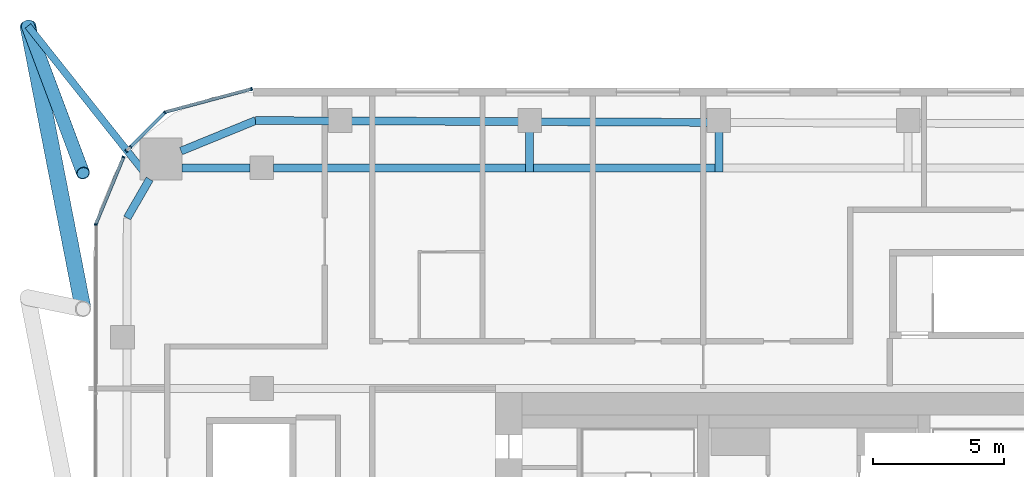
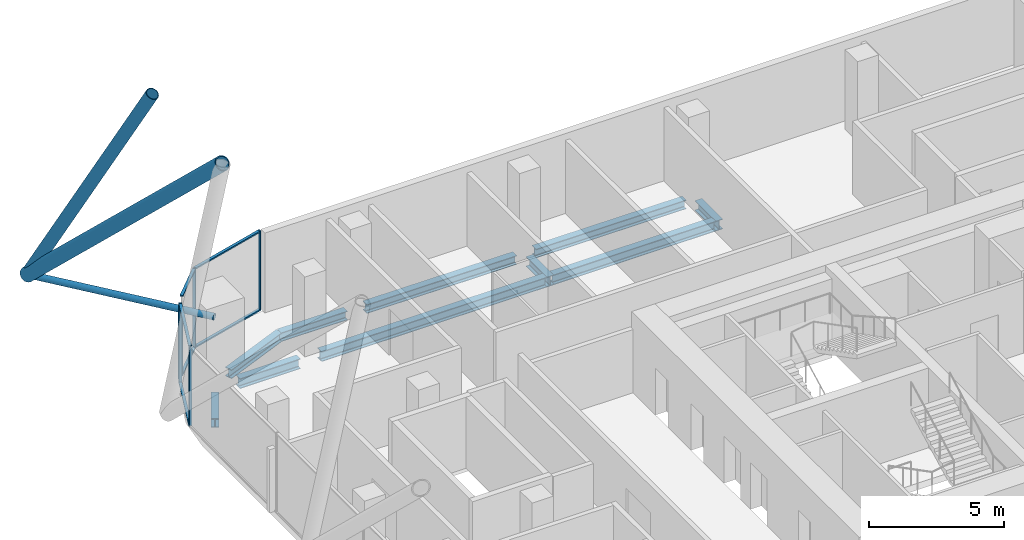
# One storey, part 12 of 34: 15 members, 10 beams, 5 elements without a shape of their own.
"""IFC4 building model written with IfcOpenShell, lengths in metres."""

from ifc_helpers import new_model, si_unit, direction, frame, origin, origin_2d, place, context, subcontext, project, spatial, rectangle, hollow_circle, i_section, extrude, material, layer, layer_set, material_profile, profile_set, type_object, element, aggregate, save


model = new_model("IFC4")

# Units and contexts
model_context = context("Model", 3, precision=1e-05, world=origin(), true_north=direction((0.0, 1.0)))
body_context = subcontext(model_context, "Body", "Model", "MODEL_VIEW")
ifc_project = project(units=[si_unit("LENGTHUNIT", "METRE"), si_unit("AREAUNIT", "SQUARE_METRE"), si_unit("VOLUMEUNIT", "CUBIC_METRE"), si_unit("PLANEANGLEUNIT", "RADIAN"), si_unit("MASSUNIT", "GRAM", prefix="KILO")], contexts=[model_context])

# Site, building, storey
site_placement = place(None, origin())
site = spatial("IfcSite", under=ifc_project, at=site_placement, CompositionType="ELEMENT")
building_placement = place(site_placement, origin())
building = spatial("IfcBuilding", under=site, at=building_placement, Name="Marenta Gate Hotel Tower", CompositionType="ELEMENT")
storey_placement = place(building_placement, frame((0.0, 0.0, 166.10009765625)))
storey = spatial("IfcBuildingStorey", under=building, at=storey_placement, Name="L39", CompositionType="ELEMENT", Elevation=166.10009765625)

# Members
ifc_material_1 = material(Name="Steel S355J2W", Category="steel")
ifc_material_profile_1 = material_profile(ifc_material_1, hollow_circle(Radius=0.25390625, WallThickness=0.02490234375, at=origin_2d()), Name="CHS 508x25")
ifc_profile_set_1 = profile_set([ifc_material_profile_1], Name="Steel S355J2W")
member_type_1 = type_object("IfcMemberType", Name="Diagrid corner post Z2 CHS 508x25", PredefinedType="POST", material=ifc_profile_set_1)
member_1_placement = place(storey_placement, frame((-29.89990234375, 30.60009765625, 3.139892578125), z_axis=(0.170090510133, -0.453614245022, 0.874816172162), x_axis=(0.936339242498, 0.351096600607, 0.0)))
element("IfcMember", 1, at=member_1_placement, inside=storey, type_object=member_type_1, Name="L39-DR-6", PredefinedType="POST", context=body_context, shape_type="SweptSolid", body=[
    extrude(hollow_circle(Radius=0.25390625, WallThickness=0.02490234375, at=origin_2d()), origin(), (0.0, 0.0, 1.0), 12.345458984375),
])
ifc_material_2 = material(Name="Steel S355J2W", Category="steel")
ifc_material_profile_2 = material_profile(ifc_material_2, hollow_circle(Radius=0.304931640625, WallThickness=0.0400390625, at=origin_2d()), Name="CHS 610x40")
ifc_profile_set_2 = profile_set([ifc_material_profile_2], Name="Steel S355J2W")
member_type_2 = type_object("IfcMemberType", Name="Diagrid diagonal T2 CHS 610x40", PredefinedType="BRACE", material=ifc_profile_set_2)
member_2_placement = place(storey_placement, frame((-29.89990234375, 30.60009765625, 3.139892578125), z_axis=(0.136387552473, -0.699523368187, 0.701473800573), x_axis=(0.981518224839, 0.191368686853, 0.0)))
element("IfcMember", 2, at=member_2_placement, inside=storey, type_object=member_type_2, Name="L39-DG-34", PredefinedType="BRACE", context=body_context, shape_type="SweptSolid", body=[
    extrude(hollow_circle(Radius=0.304931640625, WallThickness=0.0400390625, at=origin_2d()), origin(), (0.0, 0.0, 1.0), 15.396240234375),
])

# Beams
ifc_material_3 = material(Name="Steel S355", Category="steel")
ifc_material_profile_3 = material_profile(ifc_material_3, i_section(OverallWidth=0.300048828125, OverallDepth=0.39990234375, WebThickness=0.013427734375, FlangeThickness=0.02392578125, FilletRadius=0.027099609375, at=origin_2d()), Name="HEB 400")
ifc_profile_set_3 = profile_set([ifc_material_profile_3], Name="Steel S355")
beam_type_1 = type_object("IfcBeamType", Name="Edge beam HEB 400", PredefinedType="SPANDREL", material=ifc_profile_set_3)
beam_1_placement = place(storey_placement, frame((-26.121337890625, 23.291748046875, -0.460205078125), z_axis=(0.500015459501, 0.866016478054, 0.0), x_axis=(-0.866016478054, 0.500015459501, 0.0)))
element("IfcBeam", 3, at=beam_1_placement, inside=storey, type_object=beam_type_1, Name="L39-EB-11", PredefinedType="SPANDREL", context=body_context, shape_type="SweptSolid", body=[
    extrude(i_section(OverallWidth=0.300048828125, OverallDepth=0.39990234375, WebThickness=0.013427734375, FlangeThickness=0.02392578125, FilletRadius=0.027099609375, at=origin_2d()), origin(), (0.0, 0.0, 1.0), 1.70703125),
])
beam_2_placement = place(storey_placement, frame((-24.072509765625, 25.839111328125, -0.460205078125), z_axis=(0.925565978946, 0.378586342356, 0.0), x_axis=(-0.378586342356, 0.925565978946, 0.0)))
element("IfcBeam", 4, at=beam_2_placement, inside=storey, type_object=beam_type_1, Name="L39-EB-12", PredefinedType="SPANDREL", context=body_context, shape_type="SweptSolid", body=[
    extrude(i_section(OverallWidth=0.300048828125, OverallDepth=0.39990234375, WebThickness=0.013427734375, FlangeThickness=0.02392578125, FilletRadius=0.027099609375, at=origin_2d()), origin(), (0.0, 0.0, 1.0), 3.06640625),
])
beam_3_placement = place(storey_placement, frame((-21.234375, 27.0, -0.460205078125), z_axis=(0.999991706293, -0.004072756516, 0.0), x_axis=(0.004072756516, 0.999991706293, 0.0)))
element("IfcBeam", 5, at=beam_3_placement, inside=storey, type_object=beam_type_1, Name="L39-EB-13", PredefinedType="SPANDREL", context=body_context, shape_type="SweptSolid", body=[
    extrude(i_section(OverallWidth=0.300048828125, OverallDepth=0.39990234375, WebThickness=0.013427734375, FlangeThickness=0.02392578125, FilletRadius=0.027099609375, at=origin_2d()), origin(), (0.0, 0.0, 1.0), 2.8173828125),
])
beam_4_placement = place(storey_placement, frame((-17.596923828125, 26.985107421875, -0.460205078125), z_axis=(0.999991780748, -0.00405443424, 0.0), x_axis=(0.00405443424, 0.999991780748, 0.0)))
element("IfcBeam", 6, at=beam_4_placement, inside=storey, type_object=beam_type_1, Name="L39-EB-14", PredefinedType="SPANDREL", context=body_context, shape_type="SweptSolid", body=[
    extrude(i_section(OverallWidth=0.300048828125, OverallDepth=0.39990234375, WebThickness=0.013427734375, FlangeThickness=0.02392578125, FilletRadius=0.027099609375, at=origin_2d()), origin(), (0.0, 0.0, 1.0), 6.3828125),
])
beam_5_placement = place(storey_placement, frame((-10.39404296875, 26.955810546875, -0.460205078125), z_axis=(0.999991624297, -0.004092839529, 0.0), x_axis=(0.004092839529, 0.999991624297, 0.0)))
element("IfcBeam", 7, at=beam_5_placement, inside=storey, type_object=beam_type_1, Name="L39-EB-15", PredefinedType="SPANDREL", context=body_context, shape_type="SweptSolid", body=[
    extrude(i_section(OverallWidth=0.300048828125, OverallDepth=0.39990234375, WebThickness=0.013427734375, FlangeThickness=0.02392578125, FilletRadius=0.027099609375, at=origin_2d()), origin(), (0.0, 0.0, 1.0), 6.382568359375),
])

# Member
ifc_material_4 = material(Name="Steel S355J2W", Category="steel")
ifc_material_profile_4 = material_profile(ifc_material_4, hollow_circle(Radius=0.136474609375, WallThickness=0.012451171875, at=origin_2d()), Name="CHS 273x12.5")
ifc_profile_set_4 = profile_set([ifc_material_profile_4], Name="Steel S355J2W")
member_type_3 = type_object("IfcMemberType", Name="Floor tie CHS 273x12.5", PredefinedType="STRUT", material=ifc_profile_set_4)
member_3_placement = place(storey_placement, frame((-29.89990234375, 30.60009765625, 3.139892578125), z_axis=(0.622078892036, -0.782954565785, 0.0), x_axis=(0.782954565785, 0.622078892036, 0.0)))
element("IfcMember", 8, at=member_3_placement, inside=storey, type_object=member_type_3, Name="L39-DR-12", PredefinedType="STRUT", context=body_context, shape_type="SweptSolid", body=[
    extrude(hollow_circle(Radius=0.136474609375, WallThickness=0.012451171875, at=origin_2d()), origin(), (0.0, 0.0, 1.0), 7.429931640625),
])

# Beams
ifc_material_5 = material(Name="Steel S355", Category="steel")
ifc_material_profile_5 = material_profile(ifc_material_5, i_section(OverallWidth=0.300048828125, OverallDepth=0.449951171875, WebThickness=0.013916015625, FlangeThickness=0.02587890625, FilletRadius=0.027099609375, at=origin_2d()), Name="HEB 450")
ifc_profile_set_5 = profile_set([ifc_material_profile_5], Name="Steel S355")
beam_type_2 = type_object("IfcBeamType", Name="Girder HEB 450", PredefinedType="BEAM", material=ifc_profile_set_5)
beam_6_placement = place(storey_placement, frame((-24.035400390625, 25.199951171875, -0.485107421875), z_axis=(1.0, 0.0, 0.0), x_axis=(0.0, 1.0, 0.0)))
element("IfcBeam", 9, at=beam_6_placement, inside=storey, type_object=beam_type_2, Name="L39-GD-29", PredefinedType="BEAM", context=body_context, shape_type="SweptSolid", body=[
    extrude(i_section(OverallWidth=0.300048828125, OverallDepth=0.449951171875, WebThickness=0.013916015625, FlangeThickness=0.02587890625, FilletRadius=0.027099609375, at=origin_2d()), origin(), (0.0, 0.0, 1.0), 2.58544921875),
])
beam_7_placement = place(storey_placement, frame((-20.550048828125, 25.199951171875, -0.485107421875), z_axis=(1.0, 0.0, 0.0), x_axis=(0.0, 1.0, 0.0)))
element("IfcBeam", 10, at=beam_7_placement, inside=storey, type_object=beam_type_2, Name="L39-GD-30", PredefinedType="BEAM", context=body_context, shape_type="SweptSolid", body=[
    extrude(i_section(OverallWidth=0.300048828125, OverallDepth=0.449951171875, WebThickness=0.013916015625, FlangeThickness=0.02587890625, FilletRadius=0.027099609375, at=origin_2d()), origin(), (0.0, 0.0, 1.0), 9.595947265625),
])
beam_8_placement = place(storey_placement, frame((-10.654052734375, 25.199951171875, -0.485107421875), z_axis=(1.0, 0.0, 0.0), x_axis=(0.0, 1.0, 0.0)))
element("IfcBeam", 11, at=beam_8_placement, inside=storey, type_object=beam_type_2, Name="L39-GD-31", PredefinedType="BEAM", context=body_context, shape_type="SweptSolid", body=[
    extrude(i_section(OverallWidth=0.300048828125, OverallDepth=0.449951171875, WebThickness=0.013916015625, FlangeThickness=0.02587890625, FilletRadius=0.027099609375, at=origin_2d()), origin(), (0.0, 0.0, 1.0), 6.902587890625),
])
ifc_material_6 = material(Name="Steel S355", Category="steel")
ifc_material_profile_6 = material_profile(ifc_material_6, i_section(OverallWidth=0.300048828125, OverallDepth=0.449951171875, WebThickness=0.013916015625, FlangeThickness=0.02587890625, FilletRadius=0.027099609375, at=origin_2d()), Name="HEB 450")
ifc_profile_set_6 = profile_set([ifc_material_profile_6], Name="Steel S355")
beam_type_3 = type_object("IfcBeamType", Name="Girder bracket HEB 450", PredefinedType="BEAM", material=ifc_profile_set_6)
for number, where, z_axis, x_axis, name in (
    (12, (-10.80419921875, 25.050048828125, -0.485107421875), (0.0, 1.0, 0.0), (-1.0, 0.0, 0.0), "L39-GS-1"),
    (13, (-3.601318359375, 25.050048828125, -0.485107421875), (0.0, 1.0, 0.0), (-1.0, 0.0, 0.0), "L39-GS-2"),
):
    element("IfcBeam", number, at=place(storey_placement, frame(where, z_axis=z_axis, x_axis=x_axis)), inside=storey, type_object=beam_type_3, Name=name, PredefinedType="BEAM", context=body_context, shape_type="SweptSolid", body=[
        extrude(i_section(OverallWidth=0.300048828125, OverallDepth=0.449951171875, WebThickness=0.013916015625, FlangeThickness=0.02587890625, FilletRadius=0.027099609375, at=origin_2d()), origin(), (0.0, 0.0, 1.0), 1.5400390625),
    ])

# Curtain wall, member
ifc_material_7 = material(Name="Tinted insulated glass in bronze anodised frame", Category="glass")
ifc_layer = layer(ifc_material_7, 0.1201171875)
ifc_layer_set = layer_set([ifc_layer], Name="Tinted insulated glass in bronze anodised frame")
curtain_wall_type = type_object("IfcCurtainWallType", Name="Tower unitised curtain wall CW1", PredefinedType="NOTDEFINED", material=ifc_layer_set)
curtain_wall_1_placement = place(storey_placement, origin())
curtain_wall_1 = element("IfcCurtainWall", 14, at=curtain_wall_1_placement, inside=storey, type_object=curtain_wall_type, Name="CW1 run G00", PredefinedType="NOTDEFINED")
ifc_material_8 = material(Name="Bronze anodised aluminium", Category="aluminium")
ifc_material_profile_7 = material_profile(ifc_material_8, rectangle(XDim=0.1201171875, YDim=0.06005859375, at=origin_2d()), Name="Mullion CW1 60x120 bronze anodised aluminium")
ifc_profile_set_7 = profile_set([ifc_material_profile_7], Name="Bronze anodised aluminium")
member_type_4 = type_object("IfcMemberType", Name="Mullion CW1 60x120 bronze anodised aluminium", PredefinedType="MULLION", material=ifc_profile_set_7)
member_4_placement = place(storey_placement, frame((-21.385498046875, 28.203125, 0.0), z_axis=(0.0, 0.0, 1.0), x_axis=(0.258801234873, -0.96593059835, 0.0)))
member_4 = element("IfcMember", 15, at=member_4_placement, type_object=member_type_4, Name="CW1 mullion 1", PredefinedType="MULLION", context=body_context, shape_type="SweptSolid", body=[
    extrude(rectangle(XDim=0.1201171875, YDim=0.06005859375, at=origin_2d()), origin(), (0.0, 0.0, 1.0), 3.599853515625),
])

curtain_wall_2_placement = place(storey_placement, origin())
curtain_wall_2 = element("IfcCurtainWall", 16, at=curtain_wall_2_placement, inside=storey, type_object=curtain_wall_type, Name="CW1 run G01", PredefinedType="NOTDEFINED")
member_5_placement = place(storey_placement, frame((-24.68798828125, 27.302978515625, 0.0), z_axis=(0.0, 0.0, 1.0), x_axis=(0.707106781187, -0.707106781187, 0.0)))
member_5 = element("IfcMember", 17, at=member_5_placement, type_object=member_type_4, Name="CW1 mullion 1", PredefinedType="MULLION", context=body_context, shape_type="SweptSolid", body=[
    extrude(rectangle(XDim=0.1201171875, YDim=0.06005859375, at=origin_2d()), origin(), (0.0, 0.0, 1.0), 3.599853515625),
])

# Curtain wall, members
curtain_wall_3_placement = place(storey_placement, origin())
curtain_wall_3 = element("IfcCurtainWall", 18, at=curtain_wall_3_placement, inside=storey, type_object=curtain_wall_type, Name="CW1 run G02", PredefinedType="NOTDEFINED")
member_6_placement = place(storey_placement, frame((-25.992431640625, 25.998291015625, 0.0), z_axis=(0.0, 0.0, 1.0), x_axis=(0.707106781187, -0.707106781187, 0.0)))
member_6 = element("IfcMember", 19, at=member_6_placement, type_object=member_type_4, Name="CW1 mullion 1", PredefinedType="MULLION", context=body_context, shape_type="SweptSolid", body=[
    extrude(rectangle(XDim=0.1201171875, YDim=0.06005859375, at=origin_2d()), origin(), (0.0, 0.0, 1.0), 3.00048828125),
])
member_7_placement = place(storey_placement, frame((-26.151123046875, 25.839599609375, 0.0), z_axis=(0.0, 0.0, 1.0), x_axis=(0.707106781187, -0.707106781187, 0.0)))
member_7 = element("IfcMember", 20, at=member_7_placement, type_object=member_type_4, Name="CW1 mullion 2", PredefinedType="MULLION", context=body_context, shape_type="SweptSolid", body=[
    extrude(rectangle(XDim=0.1201171875, YDim=0.06005859375, at=origin_2d()), origin(), (0.0, 0.0, 1.0), 3.00048828125),
])
aggregate(curtain_wall_3, [member_6, member_7])

# Curtain wall, member
curtain_wall_4_placement = place(storey_placement, origin())
curtain_wall_4 = element("IfcCurtainWall", 21, at=curtain_wall_4_placement, inside=storey, type_object=curtain_wall_type, Name="CW1 run G03", PredefinedType="NOTDEFINED")
member_8_placement = place(storey_placement, frame((-26.25830078125, 25.610595703125, 0.0), z_axis=(0.0, 0.0, 1.0), x_axis=(0.923884627904, -0.382671130767, 0.0)))
member_8 = element("IfcMember", 22, at=member_8_placement, type_object=member_type_4, Name="CW1 mullion 1", PredefinedType="MULLION", context=body_context, shape_type="SweptSolid", body=[
    extrude(rectangle(XDim=0.1201171875, YDim=0.06005859375, at=origin_2d()), origin(), (0.0, 0.0, 1.0), 3.599853515625),
])

curtain_wall_5_placement = place(storey_placement, origin())
curtain_wall_5 = element("IfcCurtainWall", 23, at=curtain_wall_5_placement, inside=storey, type_object=curtain_wall_type, Name="CW1 run G04", PredefinedType="NOTDEFINED")
member_9_placement = place(storey_placement, frame((-27.312255859375, 23.0361328125, 0.0), z_axis=(0.0, 0.0, 1.0), x_axis=(0.99999877375, -0.001566045546, 0.0)))
member_9 = element("IfcMember", 24, at=member_9_placement, type_object=member_type_4, Name="CW1 mullion 1", PredefinedType="MULLION", context=body_context, shape_type="SweptSolid", body=[
    extrude(rectangle(XDim=0.1201171875, YDim=0.06005859375, at=origin_2d()), origin(), (0.0, 0.0, 1.0), 3.599853515625),
])
aggregate(curtain_wall_5, [member_9])

# Member
ifc_material_9 = material(Name="Bronze anodised aluminium", Category="aluminium")
ifc_material_profile_8 = material_profile(ifc_material_9, rectangle(XDim=0.1201171875, YDim=0.06005859375, at=origin_2d()), Name="Transom CW1 60x120 bronze anodised aluminium")
ifc_profile_set_8 = profile_set([ifc_material_profile_8], Name="Bronze anodised aluminium")
member_type_5 = type_object("IfcMemberType", Name="Transom CW1 60x120 bronze anodised aluminium", PredefinedType="USERDEFINED", material=ifc_profile_set_8)
member_10_placement = place(storey_placement, frame((-21.41455078125, 28.195556640625, 0.02978515625), z_axis=(-0.965932192411, -0.258795285243, 0.0), x_axis=(0.258795285243, -0.965932192411, 0.0)))
member_10 = element("IfcMember", 25, at=member_10_placement, type_object=member_type_5, Name="CW1 transom 1.1", ObjectType="TRANSOM", PredefinedType="USERDEFINED", context=body_context, shape_type="SweptSolid", body=[
    extrude(rectangle(XDim=0.1201171875, YDim=0.06005859375, at=origin_2d()), origin(), (0.0, 0.0, 1.0), 3.366943359375),
])

member_11_placement = place(storey_placement, frame((-21.41455078125, 28.195556640625, 3.56982421875), z_axis=(-0.965932192411, -0.258795285243, 0.0), x_axis=(0.258795285243, -0.965932192411, 0.0)))
member_11 = element("IfcMember", 26, at=member_11_placement, type_object=member_type_5, Name="CW1 transom 1.2", ObjectType="TRANSOM", PredefinedType="USERDEFINED", context=body_context, shape_type="SweptSolid", body=[
    extrude(rectangle(XDim=0.1201171875, YDim=0.06005859375, at=origin_2d()), origin(), (0.0, 0.0, 1.0), 3.366943359375),
])

aggregate(curtain_wall_1, [member_4, member_10, member_11])

member_12_placement = place(storey_placement, frame((-24.709228515625, 27.28173828125, 0.02978515625), z_axis=(-0.707038385696, -0.707175170062, 0.0), x_axis=(0.707175170062, -0.707038385696, 0.0)))
member_12 = element("IfcMember", 27, at=member_12_placement, type_object=member_type_5, Name="CW1 transom 1.1", ObjectType="TRANSOM", PredefinedType="USERDEFINED", context=body_context, shape_type="SweptSolid", body=[
    extrude(rectangle(XDim=0.1201171875, YDim=0.06005859375, at=origin_2d()), origin(), (0.0, 0.0, 1.0), 1.784912109375),
])

member_13_placement = place(storey_placement, frame((-24.709228515625, 27.28173828125, 3.56982421875), z_axis=(-0.707038385696, -0.707175170062, 0.0), x_axis=(0.707175170062, -0.707038385696, 0.0)))
member_13 = element("IfcMember", 28, at=member_13_placement, type_object=member_type_5, Name="CW1 transom 1.2", ObjectType="TRANSOM", PredefinedType="USERDEFINED", context=body_context, shape_type="SweptSolid", body=[
    extrude(rectangle(XDim=0.1201171875, YDim=0.06005859375, at=origin_2d()), origin(), (0.0, 0.0, 1.0), 1.784912109375),
])

aggregate(curtain_wall_2, [member_5, member_12, member_13])

member_14_placement = place(storey_placement, frame((-26.269775390625, 25.5830078125, 0.02978515625), z_axis=(-0.382673670509, -0.923883575944, 0.0), x_axis=(0.923883575944, -0.382673670509, 0.0)))
member_14 = element("IfcMember", 29, at=member_14_placement, type_object=member_type_5, Name="CW1 transom 1.1", ObjectType="TRANSOM", PredefinedType="USERDEFINED", context=body_context, shape_type="SweptSolid", body=[
    extrude(rectangle(XDim=0.1201171875, YDim=0.06005859375, at=origin_2d()), origin(), (0.0, 0.0, 1.0), 2.72412109375),
])

member_15_placement = place(storey_placement, frame((-26.269775390625, 25.5830078125, 3.56982421875), z_axis=(-0.382673670509, -0.923883575944, 0.0), x_axis=(0.923883575944, -0.382673670509, 0.0)))
member_15 = element("IfcMember", 30, at=member_15_placement, type_object=member_type_5, Name="CW1 transom 1.2", ObjectType="TRANSOM", PredefinedType="USERDEFINED", context=body_context, shape_type="SweptSolid", body=[
    extrude(rectangle(XDim=0.1201171875, YDim=0.06005859375, at=origin_2d()), origin(), (0.0, 0.0, 1.0), 2.72412109375),
])

aggregate(curtain_wall_4, [member_8, member_14, member_15])

save(model, "model.ifc")
